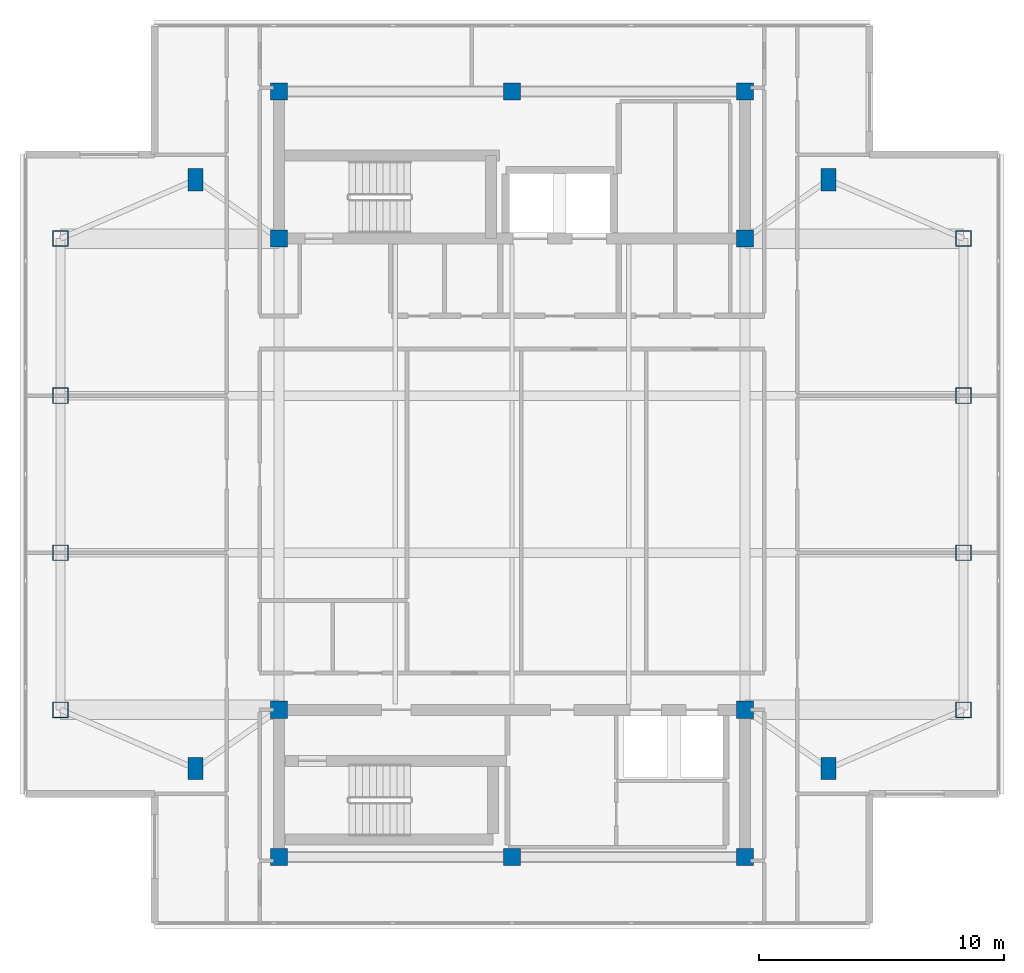
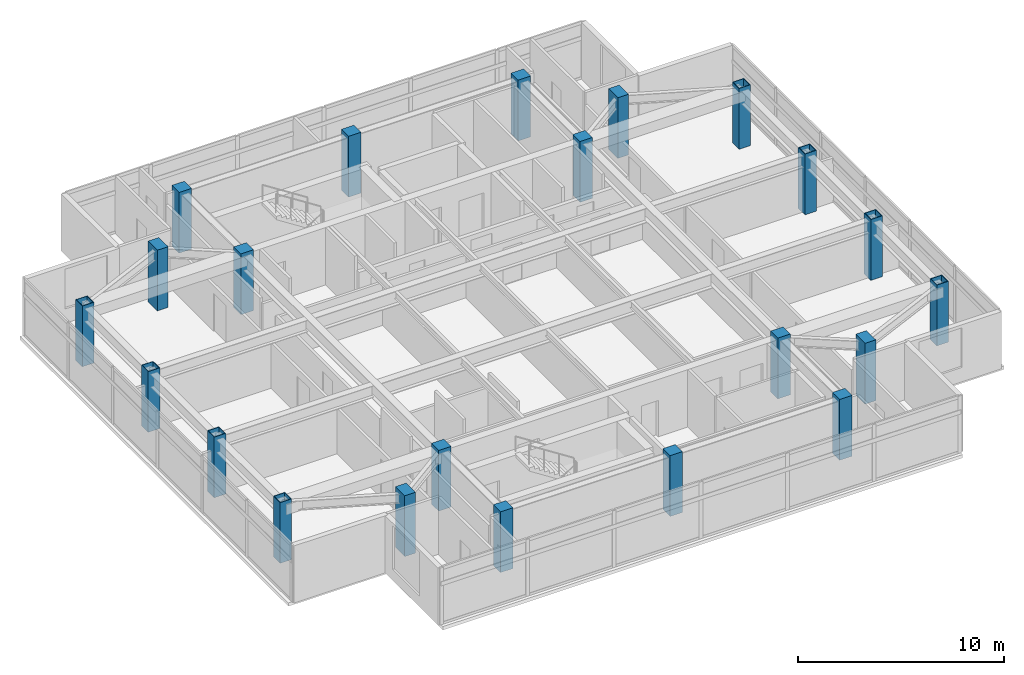
# One storey, part 1 of 10: 22 columns.
"""IFC4 building model written with IfcOpenShell, lengths in metres."""

import ifcopenshell
import ifcopenshell.guid

model = None  # the IFC model being written
_history = None  # IfcOwnerHistory: only IFC2X3 demands one
_inside = {}  # id of a spatial element -> (the spatial element, [elements in it])
_under = {}  # id of a project, library or spatial element -> (it, [spatial elements below it])
_declared = {}  # id of a project -> (the project, [libraries it declares])
_typed = {}  # id of a type object -> (the type object, [elements of that type])
_made_of = {}  # id of a material, layer set ... -> (it, [elements and type objects made of it])


def new_model(schema):
    """Start an empty IFC model of exactly this schema.

    Asked for "IFC4X3", IfcOpenShell would pick the latest addendum, in which some entities
    have other attributes; the version numbers below select the first issue.
    IFC2X3 requires an IfcOwnerHistory on every rooted entity: one is made here for all.
    """
    global model, _history
    if schema == "IFC4X3":
        model = ifcopenshell.file(schema_version=(4, 3, 0, 0))
    else:
        model = ifcopenshell.file(schema=schema)
    _inside.clear()
    _under.clear()
    _declared.clear()
    _typed.clear()
    _made_of.clear()
    _history = None
    if model.schema == "IFC2X3":
        org = make("IfcOrganization", Name="unknown")
        user = make(
            "IfcPersonAndOrganization",
            ThePerson=make("IfcPerson", FamilyName="unknown"),
            TheOrganization=org,
        )
        app = make(
            "IfcApplication",
            ApplicationDeveloper=org,
            Version="unknown",
            ApplicationFullName="unknown",
            ApplicationIdentifier="unknown",
        )
        _history = make(
            "IfcOwnerHistory",
            OwningUser=user,
            OwningApplication=app,
            ChangeAction="ADDED",
            CreationDate=0,
        )
    return model


def make(cls, **values):
    """One entity of the class cls with the attributes given. An attribute that is None is left unset."""
    return model.create_entity(
        cls, **{name: value for name, value in values.items() if value is not None}
    )


def rooted(cls, **values):
    """An entity with a GlobalId (a new one), such as an element, a storey or a relation."""
    return make(cls, GlobalId=ifcopenshell.guid.new(), OwnerHistory=_history, **values)


def si_unit(unit_type, name, prefix=None):
    """IfcSIUnit, for example si_unit("LENGTHUNIT", "METRE", prefix="MILLI")."""
    return make("IfcSIUnit", UnitType=unit_type, Prefix=prefix, Name=name)


def assignment(units):
    """IfcUnitAssignment: the units of a project."""
    return None if units is None else make("IfcUnitAssignment", Units=units)


def point(xyz):
    """IfcCartesianPoint."""
    return None if xyz is None else make("IfcCartesianPoint", Coordinates=xyz)


def direction(xyz):
    """IfcDirection."""
    return None if xyz is None else make("IfcDirection", DirectionRatios=xyz)


def frame(location, z_axis=None, x_axis=None):
    """IfcAxis2Placement3D, a coordinate frame: its origin and axes. An axis left out is left unset."""
    return make(
        "IfcAxis2Placement3D",
        Location=point(location),
        Axis=direction(z_axis),
        RefDirection=direction(x_axis),
    )


def frame_2d(location, x_axis=None):
    """IfcAxis2Placement2D, a coordinate frame in the plane: its origin and x axis."""
    return make(
        "IfcAxis2Placement2D", Location=point(location), RefDirection=direction(x_axis)
    )


def origin():
    """The frame at (0, 0, 0) with its axes left unset."""
    return frame((0.0, 0.0, 0.0))


def origin_2d():
    """The frame at (0, 0) in the plane with its x axis left unset."""
    return frame_2d((0.0, 0.0))


def place(relative_to, where):
    """IfcLocalPlacement: puts the frame where relative to a parent placement (None: the world)."""
    return make(
        "IfcLocalPlacement", PlacementRelTo=relative_to, RelativePlacement=where
    )


def context(
    kind, dimensions, precision=None, world=None, true_north=None, identifier=None
):
    """IfcGeometricRepresentationContext, for example the 3D "Model" context."""
    return make(
        "IfcGeometricRepresentationContext",
        ContextIdentifier=identifier,
        ContextType=kind,
        CoordinateSpaceDimension=dimensions,
        Precision=precision,
        WorldCoordinateSystem=world,
        TrueNorth=true_north,
    )


def subcontext(parent, identifier, kind, view, scale=None):
    """IfcGeometricRepresentationSubContext, for example "Body" below "Model"."""
    return make(
        "IfcGeometricRepresentationSubContext",
        ContextIdentifier=identifier,
        ContextType=kind,
        ParentContext=parent,
        TargetScale=scale,
        TargetView=view,
    )


def project(units=None, contexts=None):
    """IfcProject with its units and contexts."""
    return rooted(
        "IfcProject",
        Name="project",
        RepresentationContexts=contexts,
        UnitsInContext=assignment(units),
    )


def spatial(cls, under=None, at=None, **own):
    """A site, building, storey or space (cls), placed at a placement, below another one or the project."""
    s = rooted(cls, ObjectPlacement=at, **own)
    if under is not None:
        _under.setdefault(under.id(), (under, []))[1].append(s)
    return s


def profile(cls, at=None, kind="AREA", **sizes):
    """A parametric profile (cls). Its sizes go by their IFC names, for example OverallWidth=200.0."""
    return make(cls, ProfileType=kind, Position=at, **sizes)


def rectangle(**sizes):
    """IfcRectangleProfileDef."""
    return profile("IfcRectangleProfileDef", **sizes)


def hollow_rectangle(**sizes):
    """IfcRectangleHollowProfileDef."""
    return profile("IfcRectangleHollowProfileDef", **sizes)


def extrude(swept, where, along, depth):
    """IfcExtrudedAreaSolid: the profile swept, set in the frame where, extruded along a direction by depth."""
    return make(
        "IfcExtrudedAreaSolid",
        SweptArea=swept,
        Position=where,
        ExtrudedDirection=direction(along),
        Depth=depth,
    )


def shape(context_of_items, identifier, shape_type, items):
    """IfcShapeRepresentation: the items that make up one representation, for example the "Body"."""
    return make(
        "IfcShapeRepresentation",
        ContextOfItems=context_of_items,
        RepresentationIdentifier=identifier,
        RepresentationType=shape_type,
        Items=items,
    )


def material(Name=None, Category=None):
    """IfcMaterial."""
    return make("IfcMaterial", Name=Name, Category=Category)


def material_profile(
    of_material, cross_section, Name=None, Category=None, Priority=None
):
    """IfcMaterialProfile: a cross section and its material."""
    return make(
        "IfcMaterialProfile",
        Name=Name,
        Material=of_material,
        Profile=cross_section,
        Priority=Priority,
        Category=Category,
    )


def profile_set(profiles, Name=None, composite=None):
    """IfcMaterialProfileSet."""
    return make(
        "IfcMaterialProfileSet",
        Name=Name,
        MaterialProfiles=profiles,
        CompositeProfile=composite,
    )


def made_of(thing, what):
    """Note that an element or type object is made of a material, layer set ...; save() writes the relation."""
    if what is not None:
        _made_of.setdefault(what.id(), (what, []))[1].append(thing)
    return thing


def type_object(cls, material=None, **own):
    """A type object (cls), such as IfcWallType, which elements share."""
    return made_of(rooted(cls, **own), material)


def element(
    cls,
    number,
    at=None,
    inside=None,
    cuts=None,
    type_object=None,
    material=None,
    context=None,
    identifier="Body",
    shape_type=None,
    held_by="IfcProductDefinitionShape",
    body=None,
    shapes=None,
    **own,
):
    """One element of the class cls, such as IfcWall. Its Tag is "e" and its number.

    at: its placement. inside: the storey or other place that contains it. cuts: it is an
    opening in that element (IfcRelVoidsElement). A single representation is given by context,
    identifier, shape_type and body (its items); several are given by shapes. held_by: the class
    of the entity that holds the representations. save() writes the other relations.
    """
    e = rooted(cls, Tag="e%d" % number, ObjectPlacement=at, **own)
    if body is not None:
        shapes = [shape(context, identifier, shape_type, body)]
    if shapes is not None:
        e.Representation = make(held_by, Representations=shapes)
    if inside is not None:
        _inside.setdefault(inside.id(), (inside, []))[1].append(e)
    if cuts is not None:
        rooted(
            "IfcRelVoidsElement", RelatingBuildingElement=cuts, RelatedOpeningElement=e
        )
    if type_object is not None:
        _typed.setdefault(type_object.id(), (type_object, []))[1].append(e)
    return made_of(e, material)


def aggregate(whole, parts):
    """IfcRelAggregates: a whole, such as a stair, and the parts it consists of."""
    return rooted("IfcRelAggregates", RelatingObject=whole, RelatedObjects=parts)


def save(model, path):
    """Write the relations noted so far, then the file.

    IfcRelAggregates (storeys below a building ...), IfcRelContainedInSpatialStructure (elements
    in a storey), IfcRelDefinesByType, IfcRelAssociatesMaterial and IfcRelDeclares: one each for
    every whole, place, type object, material and project.
    """
    for whole, parts in _under.values():
        aggregate(whole, parts)
    for where, things in _inside.values():
        rooted(
            "IfcRelContainedInSpatialStructure",
            RelatedElements=things,
            RelatingStructure=where,
        )
    for kind, things in _typed.values():
        rooted("IfcRelDefinesByType", RelatedObjects=things, RelatingType=kind)
    for what, things in _made_of.values():
        rooted("IfcRelAssociatesMaterial", RelatedObjects=things, RelatingMaterial=what)
    for by, libraries in _declared.values():
        rooted("IfcRelDeclares", RelatingContext=by, RelatedDefinitions=libraries)
    model.write(path)


model = new_model("IFC4")

# Units and contexts
model_context = context("Model", 3, precision=1e-05, world=origin(), true_north=direction((0.0, 1.0)))
body_context = subcontext(model_context, "Body", "Model", "MODEL_VIEW")
ifc_project = project(units=[si_unit("LENGTHUNIT", "METRE"), si_unit("AREAUNIT", "SQUARE_METRE"), si_unit("VOLUMEUNIT", "CUBIC_METRE"), si_unit("PLANEANGLEUNIT", "RADIAN"), si_unit("MASSUNIT", "GRAM", prefix="KILO")], contexts=[model_context])

# Site, building, storey
site_placement = place(None, origin())
site = spatial("IfcSite", under=ifc_project, at=site_placement, CompositionType="ELEMENT")
building_placement = place(site_placement, origin())
building = spatial("IfcBuilding", under=site, at=building_placement, Name="Mirazonda Arch Towers", CompositionType="ELEMENT")
storey_placement = place(building_placement, frame((0.0, 0.0, 249.10009765625)))
storey = spatial("IfcBuildingStorey", under=building, at=storey_placement, Name="L71", CompositionType="ELEMENT", Elevation=249.10009765625)

# Columns
ifc_material_1 = material(Name="Concrete C50/60", Category="concrete")
ifc_material_profile_1 = material_profile(ifc_material_1, rectangle(XDim=0.699951171875, YDim=0.699951171875, at=origin_2d()), Name="RC700x700")
ifc_profile_set_1 = profile_set([ifc_material_profile_1], Name="Concrete C50/60")
column_type_1 = type_object("IfcColumnType", Name="COL-INT-RC700x700", PredefinedType="COLUMN", material=ifc_profile_set_1)
for number, where, z_axis, x_axis, name in (
    (1, (11.0, 12.39990234375, 0.0), (0.0, 0.0, 1.0), (1.0, 0.0, 0.0), "L71 T1 Core Column 01"),
    (2, (20.5, 12.39990234375, 0.0), (0.0, 0.0, 1.0), (1.0, 0.0, 0.0), "L71 T1 Core Column 02"),
    (3, (30.0, 12.39990234375, 0.0), (0.0, 0.0, 1.0), (1.0, 0.0, 0.0), "L71 T1 Core Column 03"),
    (4, (11.0, 18.39990234375, 0.0), (0.0, 0.0, 1.0), (1.0, 0.0, 0.0), "L71 T1 Core Column 04"),
    (5, (30.0, 18.39990234375, 0.0), (0.0, 0.0, 1.0), (1.0, 0.0, 0.0), "L71 T1 Core Column 05"),
    (6, (11.0, 37.60009765625, 0.0), (0.0, 0.0, 1.0), (1.0, 0.0, 0.0), "L71 T1 Core Column 06"),
    (7, (30.0, 37.60009765625, 0.0), (0.0, 0.0, 1.0), (1.0, 0.0, 0.0), "L71 T1 Core Column 07"),
    (8, (11.0, 43.60009765625, 0.0), (0.0, 0.0, 1.0), (1.0, 0.0, 0.0), "L71 T1 Core Column 08"),
    (9, (20.5, 43.60009765625, 0.0), (0.0, 0.0, 1.0), (1.0, 0.0, 0.0), "L71 T1 Core Column 09"),
    (10, (30.0, 43.60009765625, 0.0), (0.0, 0.0, 1.0), (1.0, 0.0, 0.0), "L71 T1 Core Column 10"),
):
    element("IfcColumn", number, at=place(storey_placement, frame(where, z_axis=z_axis, x_axis=x_axis)), inside=storey, type_object=column_type_1, Name=name, PredefinedType="COLUMN", context=body_context, shape_type="SweptSolid", body=[
        extrude(rectangle(XDim=0.699951171875, YDim=0.699951171875, at=origin_2d()), origin(), (0.0, 0.0, 1.0), 3.599853515625),
    ])
ifc_material_2 = material(Name="Steel ASTM A572 Grade 50", Category="steel")
ifc_material_profile_2 = material_profile(ifc_material_2, hollow_rectangle(XDim=0.64990234375, YDim=0.64990234375, WallThickness=0.035888671875, at=origin_2d()), Name="BOX650x650x36")
ifc_profile_set_2 = profile_set([ifc_material_profile_2], Name="Steel ASTM A572 Grade 50")
column_type_2 = type_object("IfcColumnType", Name="MCOL-EXT-BOX650x650x36", PredefinedType="COLUMN", material=ifc_profile_set_2)
for number, where, z_axis, x_axis, name in (
    (11, (2.10009765625, 18.39990234375, 0.0), (0.0, 0.0, 1.0), (1.0, 0.0, 0.0), "L71 T1 Composite Mega-Column 01"),
    (12, (2.10009765625, 24.800048828125, 0.0), (0.0, 0.0, 1.0), (1.0, 0.0, 0.0), "L71 T1 Composite Mega-Column 02"),
    (13, (2.10009765625, 31.199951171875, 0.0), (0.0, 0.0, 1.0), (1.0, 0.0, 0.0), "L71 T1 Composite Mega-Column 03"),
    (14, (2.10009765625, 37.60009765625, 0.0), (0.0, 0.0, 1.0), (1.0, 0.0, 0.0), "L71 T1 Composite Mega-Column 04"),
    (15, (38.89990234375, 18.39990234375, 0.0), (0.0, 0.0, 1.0), (1.0, 0.0, 0.0), "L71 T1 Composite Mega-Column 05"),
    (16, (38.89990234375, 24.800048828125, 0.0), (0.0, 0.0, 1.0), (1.0, 0.0, 0.0), "L71 T1 Composite Mega-Column 06"),
    (17, (38.89990234375, 31.199951171875, 0.0), (0.0, 0.0, 1.0), (1.0, 0.0, 0.0), "L71 T1 Composite Mega-Column 07"),
    (18, (38.89990234375, 37.60009765625, 0.0), (0.0, 0.0, 1.0), (1.0, 0.0, 0.0), "L71 T1 Composite Mega-Column 08"),
):
    element("IfcColumn", number, at=place(storey_placement, frame(where, z_axis=z_axis, x_axis=x_axis)), inside=storey, type_object=column_type_2, Name=name, PredefinedType="COLUMN", context=body_context, shape_type="SweptSolid", body=[
        extrude(hollow_rectangle(XDim=0.64990234375, YDim=0.64990234375, WallThickness=0.035888671875, at=origin_2d()), origin(), (0.0, 0.0, 1.0), 3.599853515625),
    ])
ifc_material_profile_3 = material_profile(ifc_material_1, rectangle(XDim=0.60009765625, YDim=0.89990234375, at=origin_2d()), Name="RC900x600")
ifc_profile_set_3 = profile_set([ifc_material_profile_3], Name="Concrete C50/60")
column_type_3 = type_object("IfcColumnType", Name="PIL-EXT-RC900x600", PredefinedType="PILASTER", material=ifc_profile_set_3)
for number, where, z_axis, x_axis, name in (
    (19, (7.60009765625, 16.0, 0.0), (0.0, 0.0, 1.0), (1.0, 0.0, 0.0), "L71 T1 Corner Pilaster 01"),
    (20, (33.39990234375, 16.0, 0.0), (0.0, 0.0, 1.0), (1.0, 0.0, 0.0), "L71 T1 Corner Pilaster 02"),
    (21, (7.60009765625, 40.0, 0.0), (0.0, 0.0, 1.0), (1.0, 0.0, 0.0), "L71 T1 Corner Pilaster 03"),
    (22, (33.39990234375, 40.0, 0.0), (0.0, 0.0, 1.0), (1.0, 0.0, 0.0), "L71 T1 Corner Pilaster 04"),
):
    element("IfcColumn", number, at=place(storey_placement, frame(where, z_axis=z_axis, x_axis=x_axis)), inside=storey, type_object=column_type_3, Name=name, PredefinedType="PILASTER", context=body_context, shape_type="SweptSolid", body=[
        extrude(rectangle(XDim=0.60009765625, YDim=0.89990234375, at=origin_2d()), origin(), (0.0, 0.0, 1.0), 3.599853515625),
    ])

save(model, "model.ifc")
